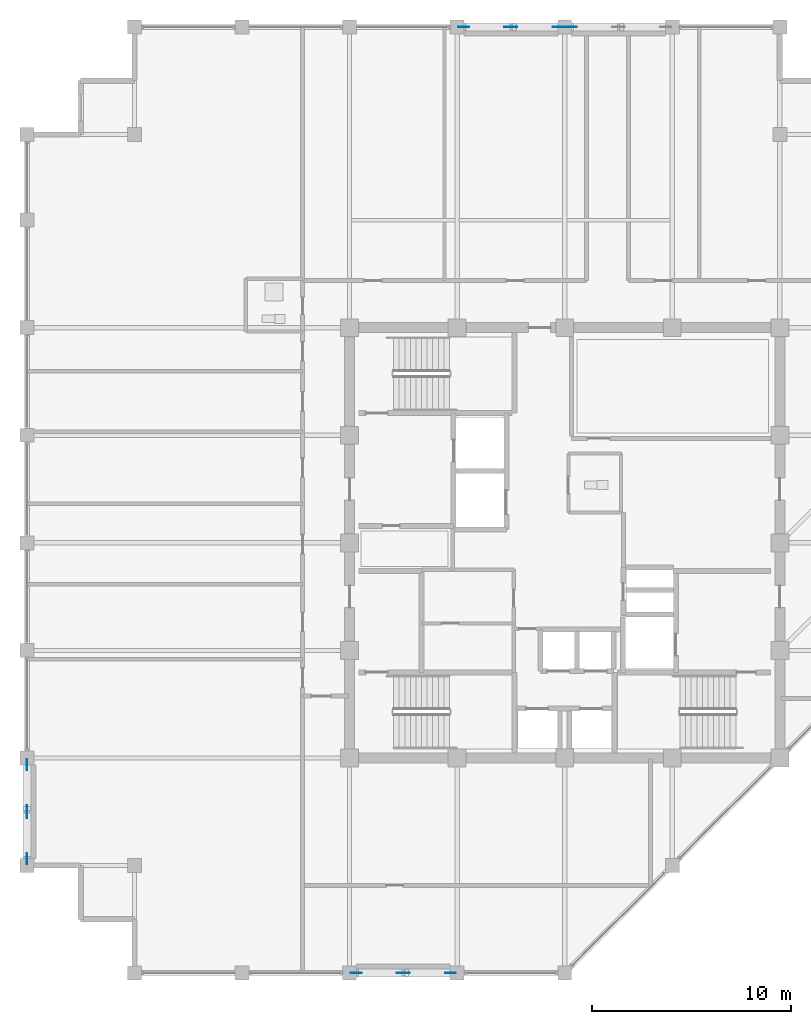
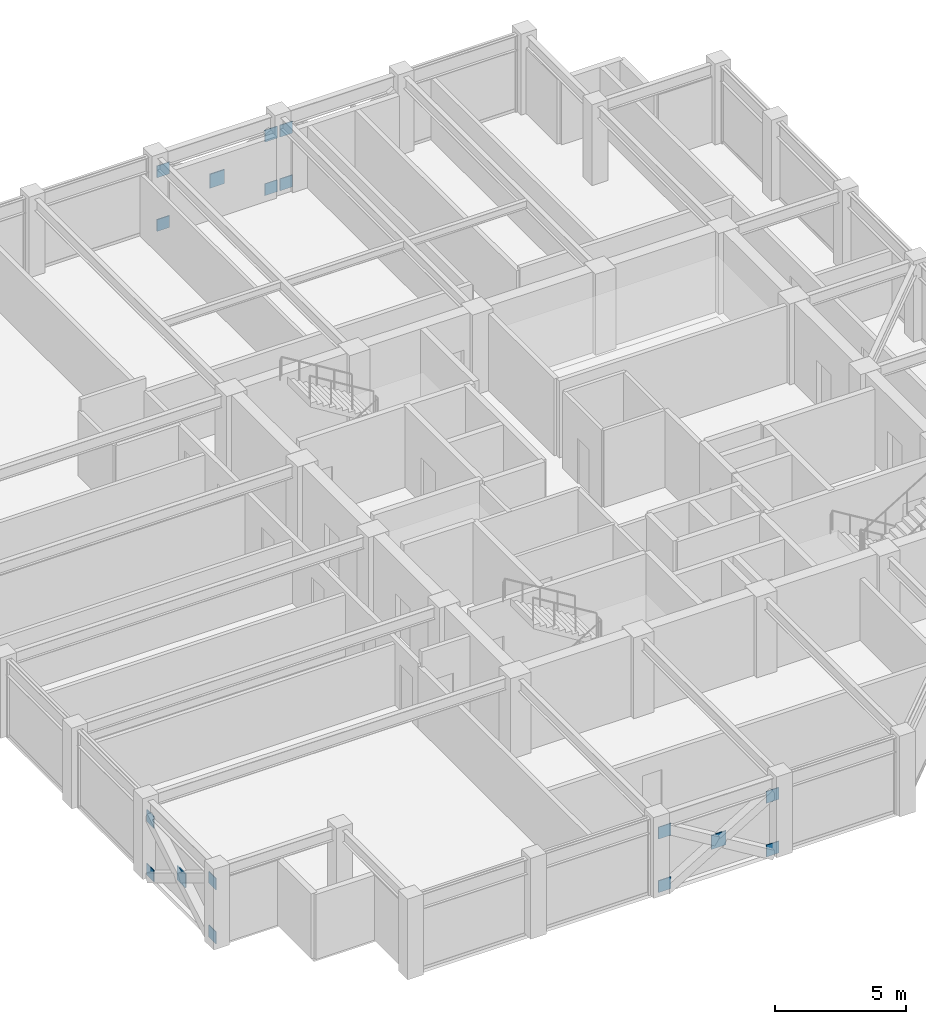
# One storey, part 24 of 30: 17 plates.
"""IFC4 building model written with IfcOpenShell, lengths in metres."""

from ifc_helpers import new_model, si_unit, direction, frame, origin, origin_2d, place, context, subcontext, project, spatial, rectangle, extrude, material, layer, layer_set, type_object, element, save


model = new_model("IFC4")

# Units and contexts
model_context = context("Model", 3, precision=1e-05, world=origin(), true_north=direction((0.0, 1.0)))
body_context = subcontext(model_context, "Body", "Model", "MODEL_VIEW")
ifc_project = project(units=[si_unit("LENGTHUNIT", "METRE"), si_unit("AREAUNIT", "SQUARE_METRE"), si_unit("VOLUMEUNIT", "CUBIC_METRE"), si_unit("PLANEANGLEUNIT", "RADIAN"), si_unit("MASSUNIT", "GRAM", prefix="KILO")], contexts=[model_context])

# Site, building, storey
site_placement = place(None, origin())
site = spatial("IfcSite", under=ifc_project, at=site_placement, CompositionType="ELEMENT")
building_placement = place(site_placement, origin())
building = spatial("IfcBuilding", under=site, at=building_placement, Name="Surkhivell Harbour Commons", CompositionType="ELEMENT")
storey_placement = place(building_placement, frame((0.0, 0.0, 300.0)))
storey = spatial("IfcBuildingStorey", under=building, at=storey_placement, Name="L78", CompositionType="ELEMENT", Elevation=300.0)

# Plates
ifc_material = material(Name="Steel S460", Category="steel")
ifc_layer_1 = layer(ifc_material, 0.035888671875)
ifc_layer_set_1 = layer_set([ifc_layer_1], Name="Steel S460")
plate_type_1 = type_object("IfcPlateType", Name="PLT-GUS-550", PredefinedType="USERDEFINED", material=ifc_layer_set_1)
for number, where, z_axis, x_axis, name in (
    (1, (-5.06494140625, 25.89990234375, -0.07470703125), (0.0, 0.0, 1.0), (1.0, 0.0, 0.0), "L78 Perimeter Mega-Brace MB- Corner Gusset N-1"),
    (2, (-0.3349609375, 25.89990234375, -0.07470703125), (0.0, 0.0, 1.0), (1.0, 0.0, 0.0), "L78 Perimeter Mega-Brace MB- Corner Gusset N-2"),
    (3, (-5.06494140625, 25.89990234375, 2.41357421875), (0.0, 0.0, 1.0), (1.0, 0.0, 0.0), "L78 Perimeter Mega-Brace MB- Corner Gusset N-3"),
    (4, (-0.3349609375, 25.89990234375, 2.41357421875), (0.0, 0.0, 1.0), (1.0, 0.0, 0.0), "L78 Perimeter Mega-Brace MB- Corner Gusset N-4"),
    (5, (0.3349609375, 25.89990234375, -0.07470703125), (0.0, 0.0, 1.0), (1.0, 0.0, 0.0), "L78 Perimeter Mega-Brace MB- Corner Gusset N2-1"),
    (6, (0.3349609375, 25.89990234375, 2.41357421875), (0.0, 0.0, 1.0), (1.0, 0.0, 0.0), "L78 Perimeter Mega-Brace MB- Corner Gusset N2-3"),
    (7, (-10.465087890625, -21.60009765625, -0.07470703125), (0.0, 0.0, 1.0), (1.0, 0.0, 0.0), "L78 Perimeter Mega-Brace MB- Corner Gusset S-1"),
    (8, (-5.735107421875, -21.60009765625, -0.07470703125), (0.0, 0.0, 1.0), (1.0, 0.0, 0.0), "L78 Perimeter Mega-Brace MB- Corner Gusset S-2"),
    (9, (-10.465087890625, -21.60009765625, 2.41357421875), (0.0, 0.0, 1.0), (1.0, 0.0, 0.0), "L78 Perimeter Mega-Brace MB- Corner Gusset S-3"),
    (10, (-5.735107421875, -21.60009765625, 2.41357421875), (0.0, 0.0, 1.0), (1.0, 0.0, 0.0), "L78 Perimeter Mega-Brace MB- Corner Gusset S-4"),
    (11, (-27.0, -15.864990234375, -0.07470703125), (0.0, 0.0, 1.0), (0.0, 1.0, 0.0), "L78 Perimeter Mega-Brace MB- Corner Gusset W-1"),
    (12, (-27.0, -11.135009765625, -0.07470703125), (0.0, 0.0, 1.0), (0.0, 1.0, 0.0), "L78 Perimeter Mega-Brace MB- Corner Gusset W-2"),
    (13, (-27.0, -15.864990234375, 2.41357421875), (0.0, 0.0, 1.0), (0.0, 1.0, 0.0), "L78 Perimeter Mega-Brace MB- Corner Gusset W-3"),
    (14, (-27.0, -11.135009765625, 2.41357421875), (0.0, 0.0, 1.0), (0.0, 1.0, 0.0), "L78 Perimeter Mega-Brace MB- Corner Gusset W-4"),
):
    element("IfcPlate", number, at=place(storey_placement, frame(where, z_axis=z_axis, x_axis=x_axis)), inside=storey, type_object=plate_type_1, Name=name, ObjectType="GUSSET_PLATE", PredefinedType="USERDEFINED", context=body_context, shape_type="SweptSolid", body=[
        extrude(rectangle(XDim=0.550048828125, YDim=0.035888671875, at=origin_2d()), origin(), (0.0, 0.0, 1.0), 0.550048828125),
    ])
ifc_layer_2 = layer(ifc_material, 0.044921875)
ifc_layer_set_2 = layer_set([ifc_layer_2], Name="Steel S460")
plate_type_2 = type_object("IfcPlateType", Name="PLT-GUS-650", PredefinedType="USERDEFINED", material=ifc_layer_set_2)
for number, where, z_axis, x_axis, name in (
    (15, (-2.699951171875, 25.89990234375, 1.11962890625), (0.0, 0.0, 1.0), (1.0, 0.0, 0.0), "L78 Perimeter Mega-Brace MB- Central Crossing Gusset N"),
    (16, (-8.10009765625, -21.60009765625, 1.11962890625), (0.0, 0.0, 1.0), (1.0, 0.0, 0.0), "L78 Perimeter Mega-Brace MB- Central Crossing Gusset S"),
    (17, (-27.0, -13.5, 1.11962890625), (0.0, 0.0, 1.0), (0.0, 1.0, 0.0), "L78 Perimeter Mega-Brace MB- Central Crossing Gusset W"),
):
    element("IfcPlate", number, at=place(storey_placement, frame(where, z_axis=z_axis, x_axis=x_axis)), inside=storey, type_object=plate_type_2, Name=name, ObjectType="GUSSET_PLATE", PredefinedType="USERDEFINED", context=body_context, shape_type="SweptSolid", body=[
        extrude(rectangle(XDim=0.64990234375, YDim=0.044921875, at=origin_2d()), origin(), (0.0, 0.0, 1.0), 0.64990234375),
    ])

save(model, "model.ifc")
